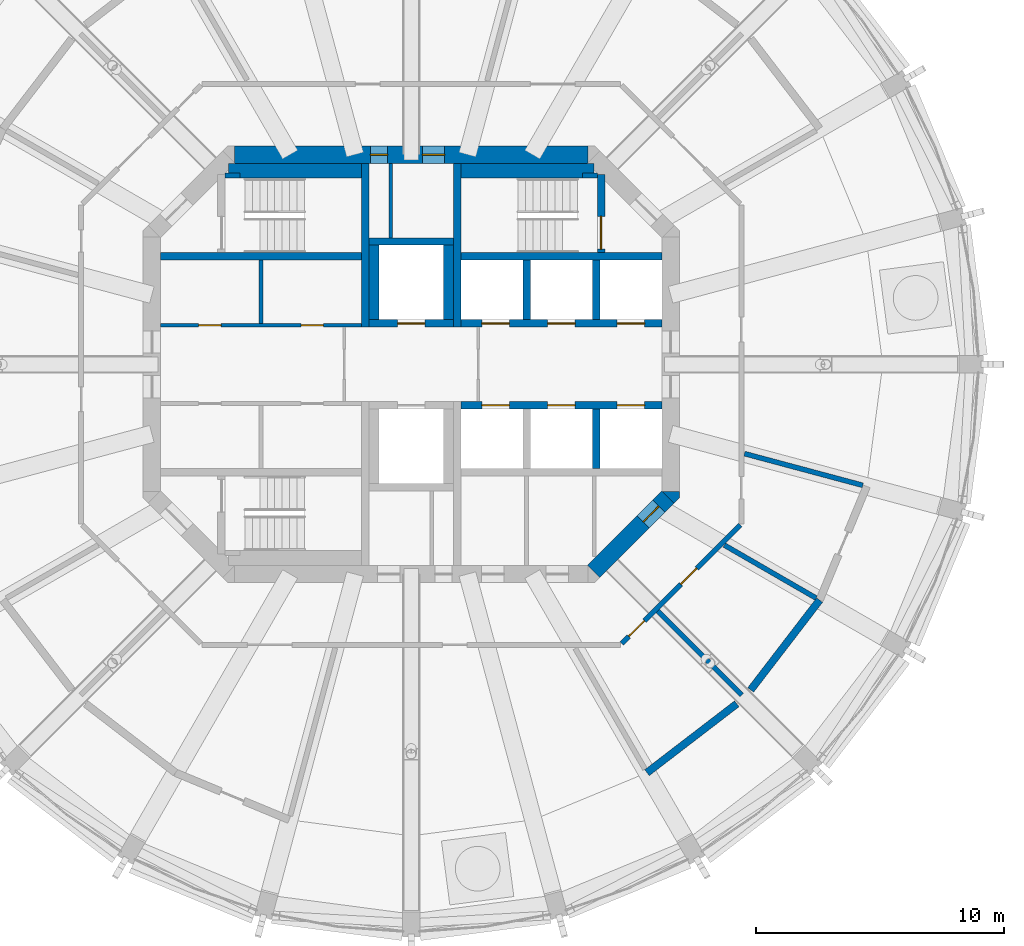
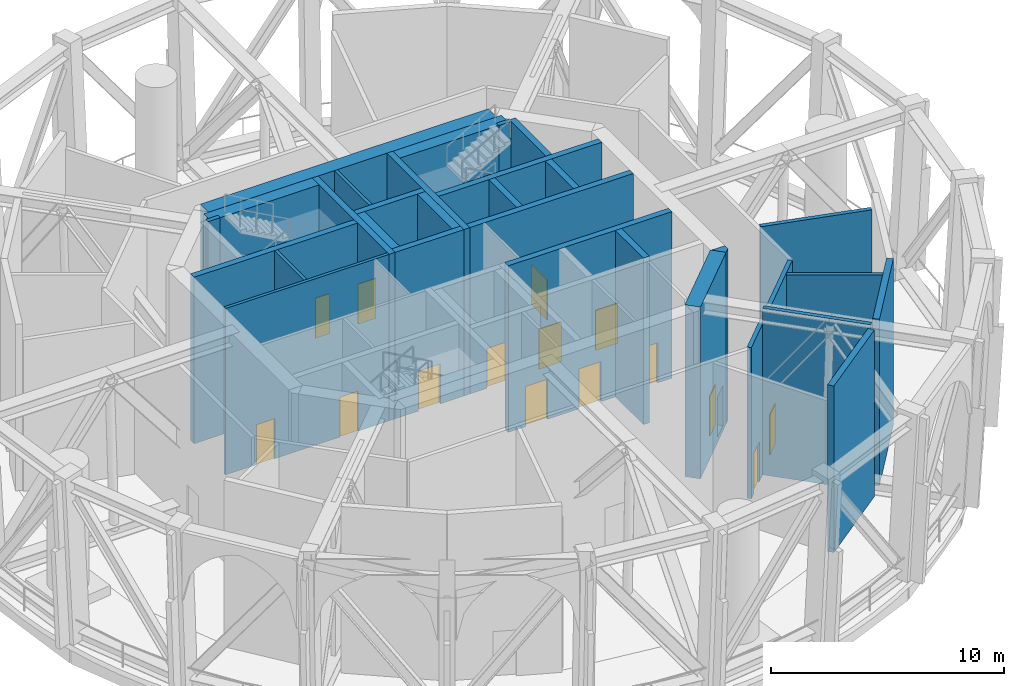
# One storey, part 6 of 12: 30 walls, 15 doors, 15 openings.
"""IFC4 building model written with IfcOpenShell, lengths in metres."""

from ifc_helpers import new_model, si_unit, direction, frame, frame_2d, origin, place, context, subcontext, project, spatial, polyline, rectangle, outline, extrude, material, layer, layer_set, type_object, element, fill, save


model = new_model("IFC4")

# Units and contexts
model_context = context("Model", 3, precision=1e-05, world=origin(), true_north=direction((0.0, 1.0)))
body_context = subcontext(model_context, "Body", "Model", "MODEL_VIEW")
ifc_project = project(units=[si_unit("LENGTHUNIT", "METRE"), si_unit("AREAUNIT", "SQUARE_METRE"), si_unit("VOLUMEUNIT", "CUBIC_METRE"), si_unit("PLANEANGLEUNIT", "RADIAN"), si_unit("MASSUNIT", "GRAM", prefix="KILO")], contexts=[model_context])

# Site, building, storey
site_placement = place(None, origin())
site = spatial("IfcSite", under=ifc_project, at=site_placement, CompositionType="ELEMENT")
building_placement = place(site_placement, origin())
building = spatial("IfcBuilding", under=site, at=building_placement, Name="Torre Triforio", CompositionType="ELEMENT")
storey_placement = place(building_placement, frame((0.0, 0.0, 183.800048828125)))
storey = spatial("IfcBuildingStorey", under=building, at=storey_placement, Name="L42", CompositionType="ELEMENT", Elevation=183.800048828125)

# Walls
ifc_material_1 = material(Name="Concrete C50", Category="concrete")
ifc_layer_1 = layer(ifc_material_1, 0.300048828125)
ifc_layer_set_1 = layer_set([ifc_layer_1], Name="Concrete C50")
wall_type_1 = type_object("IfcWallType", Name="Core wall 300 mm C50 EI 120", PredefinedType="SHEAR", material=ifc_layer_set_1)
for number, where, z_axis, x_axis, name in (
    (1, (-1.85009765625, 1.5, 0.0), (0.0, 0.0, 1.0), (0.0, 1.0, 0.0), "Core wall"),
    (2, (1.85009765625, 1.5, 0.0), (0.0, 0.0, 1.0), (0.0, 1.0, 0.0), "Core wall"),
):
    element("IfcWall", number, at=place(storey_placement, frame(where, z_axis=z_axis, x_axis=x_axis)), inside=storey, type_object=wall_type_1, Name=name, PredefinedType="SHEAR", context=body_context, shape_type="SweptSolid", body=[
        extrude(rectangle(XDim=6.60009765625, YDim=0.300048828125, at=frame_2d((3.300048828125, 0.0))), origin(), (0.0, 0.0, 1.0), 8.719970703125),
    ])

# Wall, openings, doors
ifc_layer_2 = layer(ifc_material_1, 0.699951171875)
ifc_layer_set_2 = layer_set([ifc_layer_2], Name="Concrete C50")
wall_type_2 = type_object("IfcWallType", Name="Core wall 700 mm C50 EI 120", PredefinedType="SHEAR", material=ifc_layer_set_2)
wall_1_placement = place(storey_placement, frame((-7.1298828125, 8.449951171875, -0.280029296875), z_axis=(0.0, 0.0, 1.0), x_axis=(1.0, 0.0, 0.0)))
wall_1 = element("IfcWall", 3, at=wall_1_placement, inside=storey, type_object=wall_type_2, Name="Core wall", PredefinedType="SHEAR", context=body_context, shape_type="SweptSolid", body=[
    extrude(rectangle(XDim=14.259765625, YDim=0.699951171875, at=frame_2d((7.1298828125, 0.0))), origin(), (0.0, 0.0, 1.0), 9.0),
])
opening_1_placement = place(wall_1_placement, frame((5.47998046875, 0.0, 0.280029296875)))
opening_1 = element("IfcOpeningElement", 4, at=opening_1_placement, cuts=wall_1, Name="Opening RISER-N", PredefinedType="OPENING", context=body_context, shape_type="SweptSolid", body=[
    extrude(rectangle(XDim=0.699951171875, YDim=2.10009765625, at=frame_2d((0.35009765625, 1.050048828125))), frame((0.0, 0.35986328125, 0.0), z_axis=(0.0, -1.0, 0.0), x_axis=(1.0, 0.0, 0.0)), (0.0, 0.0, 1.0), 0.719970703125),
])
opening_2_placement = place(wall_1_placement, frame((7.580078125, 0.0, 0.280029296875)))
opening_2 = element("IfcOpeningElement", 5, at=opening_2_placement, cuts=wall_1, Name="Opening NE-01B", PredefinedType="OPENING", context=body_context, shape_type="SweptSolid", body=[
    extrude(rectangle(XDim=0.89990234375, YDim=2.10009765625, at=frame_2d((0.449951171875, 1.050048828125))), frame((0.0, 0.35986328125, 0.0), z_axis=(0.0, -1.0, 0.0), x_axis=(1.0, 0.0, 0.0)), (0.0, 0.0, 1.0), 0.719970703125),
])
ifc_material_2 = material(Name="Hollow metal fire door leaf")
door_type_1 = type_object("IfcDoorType", Name="Plant room door 900 x 2100 EI 60", OperationType="NOTDEFINED", PredefinedType="DOOR", material=ifc_material_2)
door_1_placement = place(opening_2_placement, origin())
door_1 = element("IfcDoor", 6, at=door_1_placement, inside=storey, type_object=door_type_1, Name="Core door NE-01", OperationType="SINGLE_SWING_RIGHT", OverallHeight=2.10009765625, OverallWidth=0.89990234375, PredefinedType="DOOR", context=body_context, shape_type="SweptSolid", body=[
    extrude(rectangle(XDim=0.89990234375, YDim=2.10009765625, at=frame_2d((0.449951171875, 1.050048828125))), frame((0.0, 0.02490234375, 0.0), z_axis=(0.0, -1.0, 0.0), x_axis=(1.0, 0.0, 0.0)), (0.0, 0.0, 1.0), 0.050048828125),
])
fill(opening_2, door_1)
door_type_2 = type_object("IfcDoorType", Name="Riser door 700 x 2100 EI 60", OperationType="NOTDEFINED", PredefinedType="DOOR", material=ifc_material_2)
door_2_placement = place(opening_1_placement, origin())
door_2 = element("IfcDoor", 7, at=door_2_placement, inside=storey, type_object=door_type_2, Name="Core door RISER-N", OperationType="SINGLE_SWING_LEFT", OverallHeight=2.10009765625, OverallWidth=0.699951171875, PredefinedType="DOOR", context=body_context, shape_type="SweptSolid", body=[
    extrude(rectangle(XDim=0.699951171875, YDim=2.10009765625, at=frame_2d((0.35009765625, 1.050048828125))), frame((0.0, 0.02490234375, 0.0), z_axis=(0.0, -1.0, 0.0), x_axis=(1.0, 0.0, 0.0)), (0.0, 0.0, 1.0), 0.050048828125),
])
fill(opening_1, door_2)

# Wall, opening, door
wall_2_placement = place(storey_placement, frame((10.347412109375, -5.347412109375, -0.280029296875), z_axis=(0.0, 0.0, 1.0), x_axis=(-0.707106781187, -0.707106781187, 0.0)))
wall_2 = element("IfcWall", 8, at=wall_2_placement, inside=storey, type_object=wall_type_2, Name="Core wall", PredefinedType="SHEAR", context=body_context, shape_type="SweptSolid", body=[
    extrude(rectangle(XDim=4.24267578125, YDim=0.699951171875, at=frame_2d((2.121337890625, 0.0))), origin(), (0.0, 0.0, 1.0), 9.0),
])
opening_3_placement = place(wall_2_placement, frame((0.52001953125, 0.0, 0.280029296875)))
opening_3 = element("IfcOpeningElement", 9, at=opening_3_placement, cuts=wall_2, Name="Opening SE-03A", PredefinedType="OPENING", context=body_context, shape_type="SweptSolid", body=[
    extrude(rectangle(XDim=0.89990234375, YDim=2.10009765625, at=frame_2d((0.449951171875, 1.050048828125))), frame((0.0, 0.35986328125, 0.0), z_axis=(0.0, -1.0, 0.0), x_axis=(1.0, 0.0, 0.0)), (0.0, 0.0, 1.0), 0.719970703125),
])
door_3_placement = place(opening_3_placement, origin())
door_3 = element("IfcDoor", 10, at=door_3_placement, inside=storey, type_object=door_type_1, Name="Core door SE-03", OperationType="SINGLE_SWING_RIGHT", OverallHeight=2.10009765625, OverallWidth=0.89990234375, PredefinedType="DOOR", context=body_context, shape_type="SweptSolid", body=[
    extrude(rectangle(XDim=0.89990234375, YDim=2.10009765625, at=frame_2d((0.449951171875, 1.050048828125))), frame((0.0, 0.02490234375, 0.0), z_axis=(0.0, -1.0, 0.0), x_axis=(1.0, 0.0, 0.0)), (0.0, 0.0, 1.0), 0.050048828125),
])
fill(opening_3, door_3)

# Walls
wall_3_placement = place(storey_placement, frame((0.0, 0.0, -0.280029296875)))
element("IfcWall", 11, at=wall_3_placement, inside=storey, type_object=wall_type_2, Name="Core wall", PredefinedType="SHEAR", context=body_context, shape_type="SweptSolid", body=[
    extrude(outline(polyline([(10.800048828125, -5.389892578125), (10.594970703125, -5.594970703125), (10.594970703125, -5.594970703125), (10.594970703125, -5.594970703125), (10.1298828125, -5.1298828125), (10.800048828125, -5.1298828125), (10.800048828125, -5.1298828125), (10.800048828125, -5.389892578125)])), origin(), (0.0, 0.0, 1.0), 9.0),
])
ifc_material_3 = material(Name="Aluminium louvre blades", Category="aluminium")
ifc_layer_3 = layer(ifc_material_3, 0.300048828125)
ifc_layer_set_3 = layer_set([ifc_layer_3], Name="Aluminium louvre blades")
wall_type_3 = type_object("IfcWallType", Name="Louvred enclosure wall 300", PredefinedType="STANDARD", material=ifc_layer_set_3)
for number, where, z_axis, x_axis, name in (
    (12, (9.5, -16.45458984375, 0.0), (0.0, 0.0, 1.0), (0.793333980864, 0.608786657876, 0.0), "Louvred enclosure L42 bay 21"),
    (13, (13.678466796875, -13.11767578125, 0.0), (0.0, 0.0, 1.0), (0.608786657876, 0.793333980864, 0.0), "Louvred enclosure L42 bay 22"),
):
    element("IfcWall", number, at=place(storey_placement, frame(where, z_axis=z_axis, x_axis=x_axis)), inside=storey, type_object=wall_type_3, Name=name, PredefinedType="STANDARD", context=body_context, shape_type="SweptSolid", body=[
        extrude(rectangle(XDim=4.56005859375, YDim=0.300048828125, at=frame_2d((2.280029296875, 0.0))), origin(), (0.0, 0.0, 1.0), 8.719970703125),
    ])
ifc_material_4 = material(Name="Block and board partition")
ifc_layer_4 = layer(ifc_material_4, 0.14990234375)
ifc_layer_set_4 = layer_set([ifc_layer_4], Name="Block and board partition")
wall_type_4 = type_object("IfcWallType", Name="Partition 150 mm", PredefinedType="PARTITIONING", material=ifc_layer_set_4)
wall_4_placement = place(storey_placement, frame((-6.050048828125, 1.64990234375, 0.0), z_axis=(0.0, 0.0, 1.0), x_axis=(0.0, 1.0, 0.0)))
element("IfcWall", 14, at=wall_4_placement, inside=storey, type_object=wall_type_4, Name="Partition", PredefinedType="PARTITIONING", context=body_context, shape_type="SweptSolid", body=[
    extrude(rectangle(XDim=2.550048828125, YDim=0.14990234375, at=frame_2d((1.27490234375, 0.0))), origin(), (0.0, 0.0, 1.0), 8.719970703125),
])
ifc_layer_5 = layer(ifc_material_4, 0.14990234375)
ifc_layer_set_5 = layer_set([ifc_layer_5], Name="Block and board partition")
wall_type_5 = type_object("IfcWallType", Name="Partition 150 mm EI 120", PredefinedType="PARTITIONING", material=ifc_layer_set_5)
wall_5_placement = place(storey_placement, frame((-0.824951171875, 5.10009765625, 0.0), z_axis=(0.0, 0.0, 1.0), x_axis=(0.0, 1.0, 0.0)))
element("IfcWall", 15, at=wall_5_placement, inside=storey, type_object=wall_type_5, Name="Partition", PredefinedType="PARTITIONING", context=body_context, shape_type="SweptSolid", body=[
    extrude(rectangle(XDim=3.0, YDim=0.14990234375, at=frame_2d((1.5, 0.0))), origin(), (0.0, 0.0, 1.0), 8.719970703125),
])

# Wall, openings, doors
wall_6_placement = place(storey_placement, frame((-10.10009765625, 1.574951171875, 0.0), z_axis=(0.0, 0.0, 1.0), x_axis=(1.0, 0.0, 0.0)))
wall_6 = element("IfcWall", 16, at=wall_6_placement, inside=storey, type_object=wall_type_5, Name="Partition", PredefinedType="PARTITIONING", context=body_context, shape_type="SweptSolid", body=[
    extrude(rectangle(XDim=8.10009765625, YDim=0.14990234375, at=frame_2d((4.050048828125, 0.0))), origin(), (0.0, 0.0, 1.0), 8.719970703125),
])
opening_4_placement = place(wall_6_placement, frame((1.53759765625, 0.0, 0.0)))
opening_4 = element("IfcOpeningElement", 17, at=opening_4_placement, cuts=wall_6, Name="Opening FN-01A", PredefinedType="OPENING", context=body_context, shape_type="SweptSolid", body=[
    extrude(rectangle(XDim=0.89990234375, YDim=2.10009765625, at=frame_2d((0.449951171875, 1.050048828125))), frame((0.0, 0.0849609375, 0.0), z_axis=(0.0, -1.0, 0.0), x_axis=(1.0, 0.0, 0.0)), (0.0, 0.0, 1.0), 0.169921875),
])
opening_5_placement = place(wall_6_placement, frame((5.66259765625, 0.0, 0.0)))
opening_5 = element("IfcOpeningElement", 18, at=opening_5_placement, cuts=wall_6, Name="Opening FN-02A", PredefinedType="OPENING", context=body_context, shape_type="SweptSolid", body=[
    extrude(rectangle(XDim=0.89990234375, YDim=2.10009765625, at=frame_2d((0.449951171875, 1.050048828125))), frame((0.0, 0.0849609375, 0.0), z_axis=(0.0, -1.0, 0.0), x_axis=(1.0, 0.0, 0.0)), (0.0, 0.0, 1.0), 0.169921875),
])
door_4_placement = place(opening_4_placement, origin())
door_4 = element("IfcDoor", 19, at=door_4_placement, inside=storey, type_object=door_type_1, Name="Core door FN-01", OperationType="SINGLE_SWING_RIGHT", OverallHeight=2.10009765625, OverallWidth=0.89990234375, PredefinedType="DOOR", context=body_context, shape_type="SweptSolid", body=[
    extrude(rectangle(XDim=0.89990234375, YDim=2.10009765625, at=frame_2d((0.449951171875, 1.050048828125))), frame((0.0, 0.02490234375, 0.0), z_axis=(0.0, -1.0, 0.0), x_axis=(1.0, 0.0, 0.0)), (0.0, 0.0, 1.0), 0.050048828125),
])
fill(opening_4, door_4)
door_5_placement = place(opening_5_placement, origin())
door_5 = element("IfcDoor", 20, at=door_5_placement, inside=storey, type_object=door_type_1, Name="Core door FN-02", OperationType="SINGLE_SWING_RIGHT", OverallHeight=2.10009765625, OverallWidth=0.89990234375, PredefinedType="DOOR", context=body_context, shape_type="SweptSolid", body=[
    extrude(rectangle(XDim=0.89990234375, YDim=2.10009765625, at=frame_2d((0.449951171875, 1.050048828125))), frame((0.0, 0.02490234375, 0.0), z_axis=(0.0, -1.0, 0.0), x_axis=(1.0, 0.0, 0.0)), (0.0, 0.0, 1.0), 0.050048828125),
])
fill(opening_5, door_5)

ifc_material_5 = material(Name="Masonry block", Category="masonry")
ifc_layer_6 = layer(ifc_material_5, 0.199951171875)
ifc_layer_set_6 = layer_set([ifc_layer_6], Name="Masonry block")
wall_type_6 = type_object("IfcWallType", Name="Plant room wall 200 mm block EI 120", PredefinedType="PARTITIONING", material=ifc_layer_set_6)
wall_7_placement = place(storey_placement, frame((13.25048828125, -6.47509765625, 0.0), z_axis=(0.0, 0.0, 1.0), x_axis=(-0.707106781187, -0.707106781187, 0.0)))
wall_7 = element("IfcWall", 21, at=wall_7_placement, inside=storey, type_object=wall_type_6, Name="Partition 1", PredefinedType="PARTITIONING", context=body_context, shape_type="SweptSolid", body=[
    extrude(rectangle(XDim=6.75341796875, YDim=0.199951171875, at=frame_2d((3.376708984375, 0.0))), origin(), (0.0, 0.0, 1.0), 7.919921875),
])
opening_6_placement = place(wall_7_placement, frame((5.447265625, 0.0, 0.0)))
opening_6 = element("IfcOpeningElement", 22, at=opening_6_placement, cuts=wall_7, Name="Opening PL2-12", PredefinedType="OPENING", context=body_context, shape_type="SweptSolid", body=[
    extrude(rectangle(XDim=0.89990234375, YDim=2.10009765625, at=frame_2d((0.449951171875, 1.050048828125))), frame((0.0, 0.10986328125, 0.0), z_axis=(0.0, -1.0, 0.0), x_axis=(1.0, 0.0, 0.0)), (0.0, 0.0, 1.0), 0.219970703125),
])
opening_7_placement = place(wall_7_placement, frame((2.471435546875, 0.0, 0.0)))
opening_7 = element("IfcOpeningElement", 23, at=opening_7_placement, cuts=wall_7, Name="Opening PL2-13", PredefinedType="OPENING", context=body_context, shape_type="SweptSolid", body=[
    extrude(rectangle(XDim=0.89990234375, YDim=2.10009765625, at=frame_2d((0.449951171875, 1.050048828125))), frame((0.0, 0.10986328125, 0.0), z_axis=(0.0, -1.0, 0.0), x_axis=(1.0, 0.0, 0.0)), (0.0, 0.0, 1.0), 0.219970703125),
])
door_type_3 = type_object("IfcDoorType", Name="Door 900 x 2100 single leaf EI 60", OperationType="NOTDEFINED", PredefinedType="DOOR", material=ifc_material_2)
door_6_placement = place(opening_6_placement, origin())
door_6 = element("IfcDoor", 24, at=door_6_placement, inside=storey, type_object=door_type_3, Name="Door PL2-12", OperationType="SINGLE_SWING_LEFT", OverallHeight=2.10009765625, OverallWidth=0.89990234375, PredefinedType="DOOR", context=body_context, shape_type="SweptSolid", body=[
    extrude(rectangle(XDim=0.89990234375, YDim=2.10009765625, at=frame_2d((0.449951171875, 1.050048828125))), frame((0.0, 0.02490234375, 0.0), z_axis=(0.0, -1.0, 0.0), x_axis=(1.0, 0.0, 0.0)), (0.0, 0.0, 1.0), 0.050048828125),
])
fill(opening_6, door_6)
door_7_placement = place(opening_7_placement, origin())
door_7 = element("IfcDoor", 25, at=door_7_placement, inside=storey, type_object=door_type_3, Name="Door PL2-13", OperationType="SINGLE_SWING_LEFT", OverallHeight=2.10009765625, OverallWidth=0.89990234375, PredefinedType="DOOR", context=body_context, shape_type="SweptSolid", body=[
    extrude(rectangle(XDim=0.89990234375, YDim=2.10009765625, at=frame_2d((0.449951171875, 1.050048828125))), frame((0.0, 0.02490234375, 0.0), z_axis=(0.0, -1.0, 0.0), x_axis=(1.0, 0.0, 0.0)), (0.0, 0.0, 1.0), 0.050048828125),
])
fill(opening_7, door_7)

# Walls
wall_8_placement = place(storey_placement, frame((9.93359375, -9.93359375, 0.0), z_axis=(0.0, 0.0, 1.0), x_axis=(0.707106781187, -0.707106781187, 0.0)))
element("IfcWall", 26, at=wall_8_placement, inside=storey, type_object=wall_type_6, Name="Partition 20", PredefinedType="PARTITIONING", context=body_context, shape_type="SweptSolid", body=[
    extrude(rectangle(XDim=4.78857421875, YDim=0.199951171875, at=frame_2d((2.394287109375, 0.0))), origin(), (0.0, 0.0, 1.0), 8.719970703125),
])
wall_9_placement = place(storey_placement, frame((12.617919921875, -7.284912109375, 0.0), z_axis=(0.0, 0.0, 1.0), x_axis=(0.866005490874, -0.500034488586, 0.0)))
element("IfcWall", 27, at=wall_9_placement, inside=storey, type_object=wall_type_6, Name="Partition 21", PredefinedType="PARTITIONING", context=body_context, shape_type="SweptSolid", body=[
    extrude(rectangle(XDim=4.266845703125, YDim=0.199951171875, at=frame_2d((2.13330078125, 0.0))), origin(), (0.0, 0.0, 1.0), 7.919921875),
])
wall_10_placement = place(storey_placement, frame((13.425537109375, -3.597412109375, 0.0), z_axis=(0.0, 0.0, 1.0), x_axis=(0.9659306159, -0.258801169369, 0.0)))
element("IfcWall", 28, at=wall_10_placement, inside=storey, type_object=wall_type_6, Name="Partition 22", PredefinedType="PARTITIONING", context=body_context, shape_type="SweptSolid", body=[
    extrude(rectangle(XDim=4.9375, YDim=0.199951171875, at=frame_2d((2.46875, 0.0))), origin(), (0.0, 0.0, 1.0), 7.919921875),
])
ifc_layer_7 = layer(ifc_material_1, 0.300048828125)
ifc_layer_set_7 = layer_set([ifc_layer_7], Name="Concrete C50")
wall_type_7 = type_object("IfcWallType", Name="Shaft wall 300 mm C50 EI 120", PredefinedType="SOLIDWALL", material=ifc_layer_set_7)
for number, where, z_axis, x_axis, name in (
    (29, (-10.10009765625, 4.35009765625, 0.0), (0.0, 0.0, 1.0), (1.0, 0.0, 0.0), "Shaft wall"),
    (30, (2.0, 4.35009765625, 0.0), (0.0, 0.0, 1.0), (1.0, 0.0, 0.0), "Shaft wall"),
):
    element("IfcWall", number, at=place(storey_placement, frame(where, z_axis=z_axis, x_axis=x_axis)), inside=storey, type_object=wall_type_7, Name=name, PredefinedType="SOLIDWALL", context=body_context, shape_type="SweptSolid", body=[
        extrude(rectangle(XDim=8.10009765625, YDim=0.300048828125, at=frame_2d((4.050048828125, 0.0))), origin(), (0.0, 0.0, 1.0), 8.719970703125),
    ])

# Wall, openings, doors
wall_11_placement = place(storey_placement, frame((2.0, 1.64990234375, 0.0), z_axis=(0.0, 0.0, 1.0), x_axis=(1.0, 0.0, 0.0)))
wall_11 = element("IfcWall", 31, at=wall_11_placement, inside=storey, type_object=wall_type_7, Name="Shaft wall", PredefinedType="SOLIDWALL", context=body_context, shape_type="SweptSolid", body=[
    extrude(rectangle(XDim=8.10009765625, YDim=0.300048828125, at=frame_2d((4.050048828125, 0.0))), origin(), (0.0, 0.0, 1.0), 8.719970703125),
])
opening_8_placement = place(wall_11_placement, frame((0.85009765625, 0.0, 0.0)))
opening_8 = element("IfcOpeningElement", 32, at=opening_8_placement, cuts=wall_11, Name="Opening LD", PredefinedType="OPENING", context=body_context, shape_type="SweptSolid", body=[
    extrude(rectangle(XDim=1.10009765625, YDim=2.10009765625, at=frame_2d((0.550048828125, 1.050048828125))), frame((0.0, 0.159912109375, 0.0), z_axis=(0.0, -1.0, 0.0), x_axis=(1.0, 0.0, 0.0)), (0.0, 0.0, 1.0), 0.320068359375),
])
opening_9_placement = place(wall_11_placement, frame((3.5, 0.0, 0.0)))
opening_9 = element("IfcOpeningElement", 33, at=opening_9_placement, cuts=wall_11, Name="Opening LD", PredefinedType="OPENING", context=body_context, shape_type="SweptSolid", body=[
    extrude(rectangle(XDim=1.10009765625, YDim=2.10009765625, at=frame_2d((0.550048828125, 1.050048828125))), frame((0.0, 0.159912109375, 0.0), z_axis=(0.0, -1.0, 0.0), x_axis=(1.0, 0.0, 0.0)), (0.0, 0.0, 1.0), 0.320068359375),
])
opening_10_placement = place(wall_11_placement, frame((6.300048828125, 0.0, 0.0)))
opening_10 = element("IfcOpeningElement", 34, at=opening_10_placement, cuts=wall_11, Name="Opening LD", PredefinedType="OPENING", context=body_context, shape_type="SweptSolid", body=[
    extrude(rectangle(XDim=1.10009765625, YDim=2.10009765625, at=frame_2d((0.550048828125, 1.050048828125))), frame((0.0, 0.159912109375, 0.0), z_axis=(0.0, -1.0, 0.0), x_axis=(1.0, 0.0, 0.0)), (0.0, 0.0, 1.0), 0.320068359375),
])
door_type_4 = type_object("IfcDoorType", Name="Landing door 1100 x 2100 EI 60", OperationType="DOUBLE_DOOR_SLIDING", PredefinedType="DOOR", material=ifc_material_2)
door_8_placement = place(opening_8_placement, origin())
door_8 = element("IfcDoor", 35, at=door_8_placement, inside=storey, type_object=door_type_4, Name="Landing door HR1", OperationType="DOUBLE_DOOR_SLIDING", OverallHeight=2.10009765625, OverallWidth=1.10009765625, PredefinedType="DOOR", context=body_context, shape_type="SweptSolid", body=[
    extrude(rectangle(XDim=1.10009765625, YDim=2.10009765625, at=frame_2d((0.550048828125, 1.050048828125))), frame((0.0, 0.02490234375, 0.0), z_axis=(0.0, -1.0, 0.0), x_axis=(1.0, 0.0, 0.0)), (0.0, 0.0, 1.0), 0.050048828125),
])
fill(opening_8, door_8)
door_9_placement = place(opening_9_placement, origin())
door_9 = element("IfcDoor", 36, at=door_9_placement, inside=storey, type_object=door_type_4, Name="Landing door HR2", OperationType="DOUBLE_DOOR_SLIDING", OverallHeight=2.10009765625, OverallWidth=1.10009765625, PredefinedType="DOOR", context=body_context, shape_type="SweptSolid", body=[
    extrude(rectangle(XDim=1.10009765625, YDim=2.10009765625, at=frame_2d((0.550048828125, 1.050048828125))), frame((0.0, 0.02490234375, 0.0), z_axis=(0.0, -1.0, 0.0), x_axis=(1.0, 0.0, 0.0)), (0.0, 0.0, 1.0), 0.050048828125),
])
fill(opening_9, door_9)
door_10_placement = place(opening_10_placement, origin())
door_10 = element("IfcDoor", 37, at=door_10_placement, inside=storey, type_object=door_type_4, Name="Landing door HR3", OperationType="DOUBLE_DOOR_SLIDING", OverallHeight=2.10009765625, OverallWidth=1.10009765625, PredefinedType="DOOR", context=body_context, shape_type="SweptSolid", body=[
    extrude(rectangle(XDim=1.10009765625, YDim=2.10009765625, at=frame_2d((0.550048828125, 1.050048828125))), frame((0.0, 0.02490234375, 0.0), z_axis=(0.0, -1.0, 0.0), x_axis=(1.0, 0.0, 0.0)), (0.0, 0.0, 1.0), 0.050048828125),
])
fill(opening_10, door_10)

wall_12_placement = place(storey_placement, frame((2.0, -1.64990234375, 0.0), z_axis=(0.0, 0.0, 1.0), x_axis=(1.0, 0.0, 0.0)))
wall_12 = element("IfcWall", 38, at=wall_12_placement, inside=storey, type_object=wall_type_7, Name="Shaft wall", PredefinedType="SOLIDWALL", context=body_context, shape_type="SweptSolid", body=[
    extrude(rectangle(XDim=8.10009765625, YDim=0.300048828125, at=frame_2d((4.050048828125, 0.0))), origin(), (0.0, 0.0, 1.0), 8.719970703125),
])
opening_11_placement = place(wall_12_placement, frame((0.85009765625, 0.0, 0.0)))
opening_11 = element("IfcOpeningElement", 39, at=opening_11_placement, cuts=wall_12, Name="Opening LD", PredefinedType="OPENING", context=body_context, shape_type="SweptSolid", body=[
    extrude(rectangle(XDim=1.10009765625, YDim=2.10009765625, at=frame_2d((0.550048828125, 1.050048828125))), frame((0.0, 0.159912109375, 0.0), z_axis=(0.0, -1.0, 0.0), x_axis=(1.0, 0.0, 0.0)), (0.0, 0.0, 1.0), 0.320068359375),
])
opening_12_placement = place(wall_12_placement, frame((3.5, 0.0, 0.0)))
opening_12 = element("IfcOpeningElement", 40, at=opening_12_placement, cuts=wall_12, Name="Opening LD", PredefinedType="OPENING", context=body_context, shape_type="SweptSolid", body=[
    extrude(rectangle(XDim=1.10009765625, YDim=2.10009765625, at=frame_2d((0.550048828125, 1.050048828125))), frame((0.0, 0.159912109375, 0.0), z_axis=(0.0, -1.0, 0.0), x_axis=(1.0, 0.0, 0.0)), (0.0, 0.0, 1.0), 0.320068359375),
])
opening_13_placement = place(wall_12_placement, frame((6.300048828125, 0.0, 0.0)))
opening_13 = element("IfcOpeningElement", 41, at=opening_13_placement, cuts=wall_12, Name="Opening LD", PredefinedType="OPENING", context=body_context, shape_type="SweptSolid", body=[
    extrude(rectangle(XDim=1.10009765625, YDim=2.10009765625, at=frame_2d((0.550048828125, 1.050048828125))), frame((0.0, 0.159912109375, 0.0), z_axis=(0.0, -1.0, 0.0), x_axis=(1.0, 0.0, 0.0)), (0.0, 0.0, 1.0), 0.320068359375),
])
door_11_placement = place(opening_11_placement, origin())
door_11 = element("IfcDoor", 42, at=door_11_placement, inside=storey, type_object=door_type_4, Name="Landing door HR4", OperationType="DOUBLE_DOOR_SLIDING", OverallHeight=2.10009765625, OverallWidth=1.10009765625, PredefinedType="DOOR", context=body_context, shape_type="SweptSolid", body=[
    extrude(rectangle(XDim=1.10009765625, YDim=2.10009765625, at=frame_2d((0.550048828125, 1.050048828125))), frame((0.0, 0.02490234375, 0.0), z_axis=(0.0, -1.0, 0.0), x_axis=(1.0, 0.0, 0.0)), (0.0, 0.0, 1.0), 0.050048828125),
])
fill(opening_11, door_11)
door_12_placement = place(opening_12_placement, origin())
door_12 = element("IfcDoor", 43, at=door_12_placement, inside=storey, type_object=door_type_4, Name="Landing door HR5", OperationType="DOUBLE_DOOR_SLIDING", OverallHeight=2.10009765625, OverallWidth=1.10009765625, PredefinedType="DOOR", context=body_context, shape_type="SweptSolid", body=[
    extrude(rectangle(XDim=1.10009765625, YDim=2.10009765625, at=frame_2d((0.550048828125, 1.050048828125))), frame((0.0, 0.02490234375, 0.0), z_axis=(0.0, -1.0, 0.0), x_axis=(1.0, 0.0, 0.0)), (0.0, 0.0, 1.0), 0.050048828125),
])
fill(opening_12, door_12)
door_13_placement = place(opening_13_placement, origin())
door_13 = element("IfcDoor", 44, at=door_13_placement, inside=storey, type_object=door_type_4, Name="Landing door HR6", OperationType="DOUBLE_DOOR_SLIDING", OverallHeight=2.10009765625, OverallWidth=1.10009765625, PredefinedType="DOOR", context=body_context, shape_type="SweptSolid", body=[
    extrude(rectangle(XDim=1.10009765625, YDim=2.10009765625, at=frame_2d((0.550048828125, 1.050048828125))), frame((0.0, 0.02490234375, 0.0), z_axis=(0.0, -1.0, 0.0), x_axis=(1.0, 0.0, 0.0)), (0.0, 0.0, 1.0), 0.050048828125),
])
fill(opening_13, door_13)

# Walls
for number, where, z_axis, x_axis, name in (
    (45, (4.64990234375, 1.800048828125, 0.0), (0.0, 0.0, 1.0), (0.0, 1.0, 0.0), "Shaft wall"),
    (46, (7.449951171875, 1.800048828125, 0.0), (0.0, 0.0, 1.0), (0.0, 1.0, 0.0), "Shaft wall"),
    (47, (7.449951171875, -4.199951171875, 0.0), (0.0, 0.0, 1.0), (0.0, 1.0, 0.0), "Shaft wall"),
):
    element("IfcWall", number, at=place(storey_placement, frame(where, z_axis=z_axis, x_axis=x_axis)), inside=storey, type_object=wall_type_7, Name=name, PredefinedType="SOLIDWALL", context=body_context, shape_type="SweptSolid", body=[
        extrude(rectangle(XDim=2.39990234375, YDim=0.300048828125, at=frame_2d((1.199951171875, 0.0))), origin(), (0.0, 0.0, 1.0), 8.719970703125),
    ])

# Wall, opening, door
wall_13_placement = place(storey_placement, frame((-1.699951171875, 1.64990234375, 0.0), z_axis=(0.0, 0.0, 1.0), x_axis=(1.0, 0.0, 0.0)))
wall_13 = element("IfcWall", 48, at=wall_13_placement, inside=storey, type_object=wall_type_7, Name="Shaft wall", PredefinedType="SOLIDWALL", context=body_context, shape_type="SweptSolid", body=[
    extrude(rectangle(XDim=3.39990234375, YDim=0.300048828125, at=frame_2d((1.699951171875, 0.0))), origin(), (0.0, 0.0, 1.0), 8.719970703125),
])
opening_14_placement = place(wall_13_placement, frame((1.14990234375, 0.0, 0.0)))
opening_14 = element("IfcOpeningElement", 49, at=opening_14_placement, cuts=wall_13, Name="Opening LD", PredefinedType="OPENING", context=body_context, shape_type="SweptSolid", body=[
    extrude(rectangle(XDim=1.10009765625, YDim=2.10009765625, at=frame_2d((0.550048828125, 1.050048828125))), frame((0.0, 0.159912109375, 0.0), z_axis=(0.0, -1.0, 0.0), x_axis=(1.0, 0.0, 0.0)), (0.0, 0.0, 1.0), 0.320068359375),
])
door_14_placement = place(opening_14_placement, origin())
door_14 = element("IfcDoor", 50, at=door_14_placement, inside=storey, type_object=door_type_4, Name="Landing door FFL1", OperationType="DOUBLE_DOOR_SLIDING", OverallHeight=2.10009765625, OverallWidth=1.10009765625, PredefinedType="DOOR", context=body_context, shape_type="SweptSolid", body=[
    extrude(rectangle(XDim=1.10009765625, YDim=2.10009765625, at=frame_2d((0.550048828125, 1.050048828125))), frame((0.0, 0.02490234375, 0.0), z_axis=(0.0, -1.0, 0.0), x_axis=(1.0, 0.0, 0.0)), (0.0, 0.0, 1.0), 0.050048828125),
])
fill(opening_14, door_14)

# Walls
wall_14_placement = place(storey_placement, frame((-1.699951171875, 4.949951171875, 0.0), z_axis=(0.0, 0.0, 1.0), x_axis=(1.0, 0.0, 0.0)))
element("IfcWall", 51, at=wall_14_placement, inside=storey, type_object=wall_type_7, Name="Shaft wall", PredefinedType="SOLIDWALL", context=body_context, shape_type="SweptSolid", body=[
    extrude(rectangle(XDim=3.39990234375, YDim=0.300048828125, at=frame_2d((1.699951171875, 0.0))), origin(), (0.0, 0.0, 1.0), 8.719970703125),
])
ifc_layer_8 = layer(ifc_material_1, 0.39990234375)
ifc_layer_set_8 = layer_set([ifc_layer_8], Name="Concrete C50")
wall_type_8 = type_object("IfcWallType", Name="Shaft wall 400 mm C50 EI 120", PredefinedType="SOLIDWALL", material=ifc_layer_set_8)
for number, where, z_axis, x_axis, name in (
    (52, (-1.5, 1.800048828125, 0.0), (0.0, 0.0, 1.0), (0.0, 1.0, 0.0), "Shaft wall"),
    (53, (1.5, 1.800048828125, 0.0), (0.0, 0.0, 1.0), (0.0, 1.0, 0.0), "Shaft wall"),
):
    element("IfcWall", number, at=place(storey_placement, frame(where, z_axis=z_axis, x_axis=x_axis)), inside=storey, type_object=wall_type_8, Name=name, PredefinedType="SOLIDWALL", context=body_context, shape_type="SweptSolid", body=[
        extrude(rectangle(XDim=3.0, YDim=0.39990234375, at=frame_2d((1.5, 0.0))), origin(), (0.0, 0.0, 1.0), 8.719970703125),
    ])
ifc_layer_9 = layer(ifc_material_1, 0.199951171875)
ifc_layer_set_9 = layer_set([ifc_layer_9], Name="Concrete C50")
wall_type_9 = type_object("IfcWallType", Name="Stair wall 200 mm C50 EI 120", PredefinedType="SHEAR", material=ifc_layer_set_9)
for number, where, z_axis, x_axis, name in (
    (54, (-7.5, 7.60009765625, 0.0), (0.0, 0.0, 1.0), (1.0, 0.0, 0.0), "Stair wall"),
    (55, (6.89990234375, 7.60009765625, 0.0), (0.0, 0.0, 1.0), (1.0, 0.0, 0.0), "Stair wall"),
):
    element("IfcWall", number, at=place(storey_placement, frame(where, z_axis=z_axis, x_axis=x_axis)), inside=storey, type_object=wall_type_9, Name=name, PredefinedType="SHEAR", context=body_context, shape_type="SweptSolid", body=[
        extrude(rectangle(XDim=0.60009765625, YDim=0.199951171875, at=frame_2d((0.300048828125, 0.0))), origin(), (0.0, 0.0, 1.0), 8.719970703125),
    ])

# Wall, opening, door
ifc_layer_10 = layer(ifc_material_1, 0.300048828125)
ifc_layer_set_10 = layer_set([ifc_layer_10], Name="Concrete C50")
wall_type_10 = type_object("IfcWallType", Name="Stair wall 300 mm C50 EI 120", PredefinedType="SHEAR", material=ifc_layer_set_10)
wall_15_placement = place(storey_placement, frame((7.64990234375, 4.5, 0.0), z_axis=(0.0, 0.0, 1.0), x_axis=(0.0, 1.0, 0.0)))
wall_15 = element("IfcWall", 56, at=wall_15_placement, inside=storey, type_object=wall_type_10, Name="Stair wall", PredefinedType="SHEAR", context=body_context, shape_type="SweptSolid", body=[
    extrude(rectangle(XDim=3.139892578125, YDim=0.300048828125, at=frame_2d((1.56982421875, 0.0))), origin(), (0.0, 0.0, 1.0), 8.719970703125),
])
opening_15_placement = place(wall_15_placement, frame((0.139892578125, 0.0, 0.0)))
opening_15 = element("IfcOpeningElement", 57, at=opening_15_placement, cuts=wall_15, Name="Opening ST2-STA", PredefinedType="OPENING", context=body_context, shape_type="SweptSolid", body=[
    extrude(rectangle(XDim=1.320068359375, YDim=2.10009765625, at=frame_2d((0.66015625, 1.050048828125))), frame((0.0, 0.159912109375, 0.0), z_axis=(0.0, -1.0, 0.0), x_axis=(1.0, 0.0, 0.0)), (0.0, 0.0, 1.0), 0.320068359375),
])
door_type_5 = type_object("IfcDoorType", Name="Stair door 1320 x 2100 EI 90", OperationType="DOUBLE_DOOR_SINGLE_SWING", PredefinedType="DOOR", material=ifc_material_2)
door_15_placement = place(opening_15_placement, origin())
door_15 = element("IfcDoor", 58, at=door_15_placement, inside=storey, type_object=door_type_5, Name="Core door ST2-ST", OperationType="DOUBLE_DOOR_SINGLE_SWING", OverallHeight=2.10009765625, OverallWidth=1.320068359375, PredefinedType="DOOR", context=body_context, shape_type="SweptSolid", body=[
    extrude(rectangle(XDim=1.320068359375, YDim=2.10009765625, at=frame_2d((0.66015625, 1.050048828125))), frame((0.0, 0.02490234375, 0.0), z_axis=(0.0, -1.0, 0.0), x_axis=(1.0, 0.0, 0.0)), (0.0, 0.0, 1.0), 0.050048828125),
])
fill(opening_15, door_15)

# Walls
ifc_layer_11 = layer(ifc_material_1, 0.60009765625)
ifc_layer_set_11 = layer_set([ifc_layer_11], Name="Concrete C50")
wall_type_11 = type_object("IfcWallType", Name="Stair wall 600 mm C50 EI 120", PredefinedType="SHEAR", material=ifc_layer_set_11)
for number, where, z_axis, x_axis, name in (
    (59, (-7.3701171875, 7.800048828125, 0.0), (0.0, 0.0, 1.0), (1.0, 0.0, 0.0), "Stair wall"),
    (60, (2.0, 7.800048828125, 0.0), (0.0, 0.0, 1.0), (1.0, 0.0, 0.0), "Stair wall"),
):
    element("IfcWall", number, at=place(storey_placement, frame(where, z_axis=z_axis, x_axis=x_axis)), inside=storey, type_object=wall_type_11, Name=name, PredefinedType="SHEAR", context=body_context, shape_type="SweptSolid", body=[
        extrude(rectangle(XDim=5.3701171875, YDim=0.60009765625, at=frame_2d((2.68505859375, 0.0))), origin(), (0.0, 0.0, 1.0), 8.719970703125),
    ])

save(model, "model.ifc")
